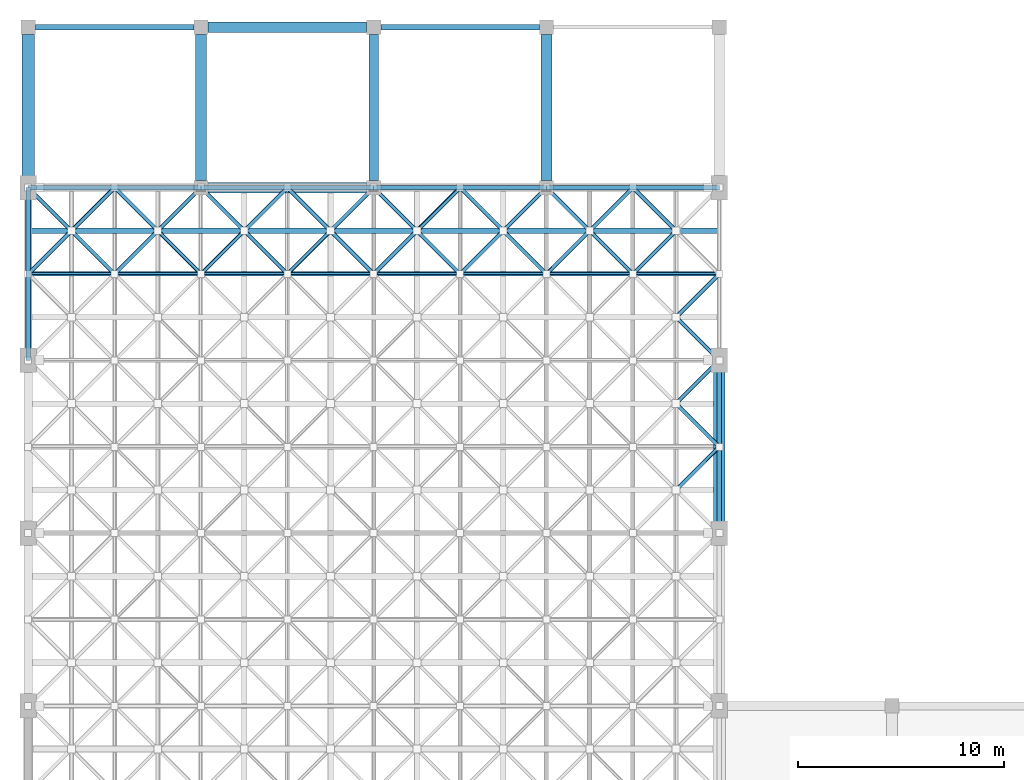
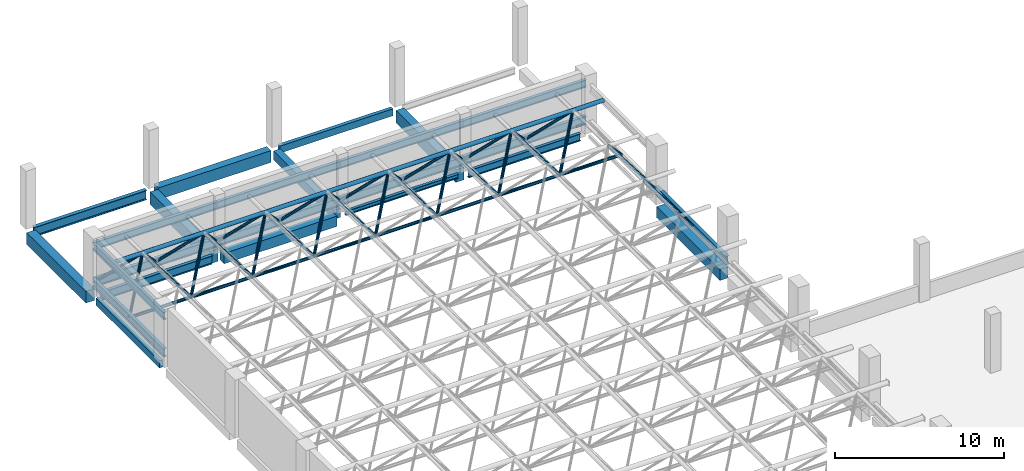
# One storey, part 31 of 64: 37 members, 24 beams.
"""IFC4 building model written with IfcOpenShell, lengths in metres."""

import ifcopenshell
import ifcopenshell.guid

model = None  # the IFC model being written
_history = None  # IfcOwnerHistory: only IFC2X3 demands one
_inside = {}  # id of a spatial element -> (the spatial element, [elements in it])
_under = {}  # id of a project, library or spatial element -> (it, [spatial elements below it])
_declared = {}  # id of a project -> (the project, [libraries it declares])
_typed = {}  # id of a type object -> (the type object, [elements of that type])
_made_of = {}  # id of a material, layer set ... -> (it, [elements and type objects made of it])


def new_model(schema):
    """Start an empty IFC model of exactly this schema.

    Asked for "IFC4X3", IfcOpenShell would pick the latest addendum, in which some entities
    have other attributes; the version numbers below select the first issue.
    IFC2X3 requires an IfcOwnerHistory on every rooted entity: one is made here for all.
    """
    global model, _history
    if schema == "IFC4X3":
        model = ifcopenshell.file(schema_version=(4, 3, 0, 0))
    else:
        model = ifcopenshell.file(schema=schema)
    _inside.clear()
    _under.clear()
    _declared.clear()
    _typed.clear()
    _made_of.clear()
    _history = None
    if model.schema == "IFC2X3":
        org = make("IfcOrganization", Name="unknown")
        user = make(
            "IfcPersonAndOrganization",
            ThePerson=make("IfcPerson", FamilyName="unknown"),
            TheOrganization=org,
        )
        app = make(
            "IfcApplication",
            ApplicationDeveloper=org,
            Version="unknown",
            ApplicationFullName="unknown",
            ApplicationIdentifier="unknown",
        )
        _history = make(
            "IfcOwnerHistory",
            OwningUser=user,
            OwningApplication=app,
            ChangeAction="ADDED",
            CreationDate=0,
        )
    return model


def make(cls, **values):
    """One entity of the class cls with the attributes given. An attribute that is None is left unset."""
    return model.create_entity(
        cls, **{name: value for name, value in values.items() if value is not None}
    )


def rooted(cls, **values):
    """An entity with a GlobalId (a new one), such as an element, a storey or a relation."""
    return make(cls, GlobalId=ifcopenshell.guid.new(), OwnerHistory=_history, **values)


def si_unit(unit_type, name, prefix=None):
    """IfcSIUnit, for example si_unit("LENGTHUNIT", "METRE", prefix="MILLI")."""
    return make("IfcSIUnit", UnitType=unit_type, Prefix=prefix, Name=name)


def derived_unit(unit_type, elements):
    """IfcDerivedUnit: a product of units, each with its exponent."""
    return make(
        "IfcDerivedUnit",
        Elements=[
            make("IfcDerivedUnitElement", Unit=unit, Exponent=power)
            for unit, power in elements
        ],
        UnitType=unit_type,
    )


def assignment(units):
    """IfcUnitAssignment: the units of a project."""
    return None if units is None else make("IfcUnitAssignment", Units=units)


def point(xyz):
    """IfcCartesianPoint."""
    return None if xyz is None else make("IfcCartesianPoint", Coordinates=xyz)


def direction(xyz):
    """IfcDirection."""
    return None if xyz is None else make("IfcDirection", DirectionRatios=xyz)


def frame(location, z_axis=None, x_axis=None):
    """IfcAxis2Placement3D, a coordinate frame: its origin and axes. An axis left out is left unset."""
    return make(
        "IfcAxis2Placement3D",
        Location=point(location),
        Axis=direction(z_axis),
        RefDirection=direction(x_axis),
    )


def frame_2d(location, x_axis=None):
    """IfcAxis2Placement2D, a coordinate frame in the plane: its origin and x axis."""
    return make(
        "IfcAxis2Placement2D", Location=point(location), RefDirection=direction(x_axis)
    )


def origin():
    """The frame at (0, 0, 0) with its axes left unset."""
    return frame((0.0, 0.0, 0.0))


def origin_2d():
    """The frame at (0, 0) in the plane with its x axis left unset."""
    return frame_2d((0.0, 0.0))


def place(relative_to, where):
    """IfcLocalPlacement: puts the frame where relative to a parent placement (None: the world)."""
    return make(
        "IfcLocalPlacement", PlacementRelTo=relative_to, RelativePlacement=where
    )


def context(
    kind, dimensions, precision=None, world=None, true_north=None, identifier=None
):
    """IfcGeometricRepresentationContext, for example the 3D "Model" context."""
    return make(
        "IfcGeometricRepresentationContext",
        ContextIdentifier=identifier,
        ContextType=kind,
        CoordinateSpaceDimension=dimensions,
        Precision=precision,
        WorldCoordinateSystem=world,
        TrueNorth=true_north,
    )


def subcontext(parent, identifier, kind, view, scale=None):
    """IfcGeometricRepresentationSubContext, for example "Body" below "Model"."""
    return make(
        "IfcGeometricRepresentationSubContext",
        ContextIdentifier=identifier,
        ContextType=kind,
        ParentContext=parent,
        TargetScale=scale,
        TargetView=view,
    )


def project(units=None, contexts=None):
    """IfcProject with its units and contexts."""
    return rooted(
        "IfcProject",
        Name="project",
        RepresentationContexts=contexts,
        UnitsInContext=assignment(units),
    )


def spatial(cls, under=None, at=None, **own):
    """A site, building, storey or space (cls), placed at a placement, below another one or the project."""
    s = rooted(cls, ObjectPlacement=at, **own)
    if under is not None:
        _under.setdefault(under.id(), (under, []))[1].append(s)
    return s


def profile(cls, at=None, kind="AREA", **sizes):
    """A parametric profile (cls). Its sizes go by their IFC names, for example OverallWidth=200.0."""
    return make(cls, ProfileType=kind, Position=at, **sizes)


def rectangle(**sizes):
    """IfcRectangleProfileDef."""
    return profile("IfcRectangleProfileDef", **sizes)


def hollow_circle(**sizes):
    """IfcCircleHollowProfileDef."""
    return profile("IfcCircleHollowProfileDef", **sizes)


def i_section(**sizes):
    """IfcIShapeProfileDef."""
    return profile("IfcIShapeProfileDef", **sizes)


def extrude(swept, where, along, depth):
    """IfcExtrudedAreaSolid: the profile swept, set in the frame where, extruded along a direction by depth."""
    return make(
        "IfcExtrudedAreaSolid",
        SweptArea=swept,
        Position=where,
        ExtrudedDirection=direction(along),
        Depth=depth,
    )


def shape(context_of_items, identifier, shape_type, items):
    """IfcShapeRepresentation: the items that make up one representation, for example the "Body"."""
    return make(
        "IfcShapeRepresentation",
        ContextOfItems=context_of_items,
        RepresentationIdentifier=identifier,
        RepresentationType=shape_type,
        Items=items,
    )


def material(Name=None, Category=None):
    """IfcMaterial."""
    return make("IfcMaterial", Name=Name, Category=Category)


def material_profile(
    of_material, cross_section, Name=None, Category=None, Priority=None
):
    """IfcMaterialProfile: a cross section and its material."""
    return make(
        "IfcMaterialProfile",
        Name=Name,
        Material=of_material,
        Profile=cross_section,
        Priority=Priority,
        Category=Category,
    )


def profile_set(profiles, Name=None, composite=None):
    """IfcMaterialProfileSet."""
    return make(
        "IfcMaterialProfileSet",
        Name=Name,
        MaterialProfiles=profiles,
        CompositeProfile=composite,
    )


def made_of(thing, what):
    """Note that an element or type object is made of a material, layer set ...; save() writes the relation."""
    if what is not None:
        _made_of.setdefault(what.id(), (what, []))[1].append(thing)
    return thing


def type_object(cls, material=None, **own):
    """A type object (cls), such as IfcWallType, which elements share."""
    return made_of(rooted(cls, **own), material)


def element(
    cls,
    number,
    at=None,
    inside=None,
    cuts=None,
    type_object=None,
    material=None,
    context=None,
    identifier="Body",
    shape_type=None,
    held_by="IfcProductDefinitionShape",
    body=None,
    shapes=None,
    **own,
):
    """One element of the class cls, such as IfcWall. Its Tag is "e" and its number.

    at: its placement. inside: the storey or other place that contains it. cuts: it is an
    opening in that element (IfcRelVoidsElement). A single representation is given by context,
    identifier, shape_type and body (its items); several are given by shapes. held_by: the class
    of the entity that holds the representations. save() writes the other relations.
    """
    e = rooted(cls, Tag="e%d" % number, ObjectPlacement=at, **own)
    if body is not None:
        shapes = [shape(context, identifier, shape_type, body)]
    if shapes is not None:
        e.Representation = make(held_by, Representations=shapes)
    if inside is not None:
        _inside.setdefault(inside.id(), (inside, []))[1].append(e)
    if cuts is not None:
        rooted(
            "IfcRelVoidsElement", RelatingBuildingElement=cuts, RelatedOpeningElement=e
        )
    if type_object is not None:
        _typed.setdefault(type_object.id(), (type_object, []))[1].append(e)
    return made_of(e, material)


def aggregate(whole, parts):
    """IfcRelAggregates: a whole, such as a stair, and the parts it consists of."""
    return rooted("IfcRelAggregates", RelatingObject=whole, RelatedObjects=parts)


def save(model, path):
    """Write the relations noted so far, then the file.

    IfcRelAggregates (storeys below a building ...), IfcRelContainedInSpatialStructure (elements
    in a storey), IfcRelDefinesByType, IfcRelAssociatesMaterial and IfcRelDeclares: one each for
    every whole, place, type object, material and project.
    """
    for whole, parts in _under.values():
        aggregate(whole, parts)
    for where, things in _inside.values():
        rooted(
            "IfcRelContainedInSpatialStructure",
            RelatedElements=things,
            RelatingStructure=where,
        )
    for kind, things in _typed.values():
        rooted("IfcRelDefinesByType", RelatedObjects=things, RelatingType=kind)
    for what, things in _made_of.values():
        rooted("IfcRelAssociatesMaterial", RelatedObjects=things, RelatingMaterial=what)
    for by, libraries in _declared.values():
        rooted("IfcRelDeclares", RelatingContext=by, RelatedDefinitions=libraries)
    model.write(path)


model = new_model("IFC4")

# Units and contexts
model_context = context("Model", 3, precision=1e-05, world=origin(), true_north=direction((0.0, 1.0)))
body_context = subcontext(model_context, "Body", "Model", "MODEL_VIEW")
ifc_project = project(units=[si_unit("LENGTHUNIT", "METRE"), si_unit("AREAUNIT", "SQUARE_METRE"), si_unit("VOLUMEUNIT", "CUBIC_METRE"), si_unit("PLANEANGLEUNIT", "RADIAN"), si_unit("MASSUNIT", "GRAM", prefix="KILO"), derived_unit("THERMALTRANSMITTANCEUNIT", [(si_unit("POWERUNIT", "WATT"), 1), (si_unit("LENGTHUNIT", "METRE"), -2), (si_unit("THERMODYNAMICTEMPERATUREUNIT", "KELVIN"), -1)])], contexts=[model_context])

# Site, building, storey
site_placement = place(None, origin())
site = spatial("IfcSite", under=ifc_project, at=site_placement, CompositionType="ELEMENT")
building_placement = place(site_placement, origin())
building = spatial("IfcBuilding", under=site, at=building_placement, Name="Barrovel Congress Hotel", CompositionType="ELEMENT")
storey_placement = place(building_placement, frame((0.0, 0.0, 14.10009765625)))
storey = spatial("IfcBuildingStorey", under=building, at=storey_placement, Name="L03", CompositionType="ELEMENT", Elevation=14.10009765625)

# Beams
ifc_material_1 = material(Name="Concrete C40", Category="concrete")
ifc_material_profile_1 = material_profile(ifc_material_1, rectangle(XDim=0.25, YDim=0.5, at=origin_2d()), Name="RC250x500")
ifc_profile_set_1 = profile_set([ifc_material_profile_1], Name="Concrete C40")
beam_type_1 = type_object("IfcBeamType", Name="BM-RC250x500", PredefinedType="SPANDREL", material=ifc_profile_set_1)
beam_1_placement = place(storey_placement, frame((17.14990234375, 112.800048828125, -0.489990234375), z_axis=(1.0, 0.0, 0.0), x_axis=(0.0, 1.0, 0.0)))
element("IfcBeam", 1, at=beam_1_placement, inside=storey, type_object=beam_type_1, Name="BMX:L03:112.8:16.8-25.2", PredefinedType="SPANDREL", context=body_context, shape_type="SweptSolid", body=[
    extrude(rectangle(XDim=0.25, YDim=0.5, at=origin_2d()), origin(), (0.0, 0.0, 1.0), 7.7001953125),
])
beam_2_placement = place(storey_placement, frame((0.0, 97.050048828125, -0.489990234375), z_axis=(0.0, 1.0, 0.0), x_axis=(-1.0, 0.0, 0.0)))
element("IfcBeam", 2, at=beam_2_placement, inside=storey, type_object=beam_type_1, Name="BMY:L03:0.0:96.6-105.0", PredefinedType="SPANDREL", context=body_context, shape_type="SweptSolid", body=[
    extrude(rectangle(XDim=0.25, YDim=0.5, at=origin_2d()), origin(), (0.0, 0.0, 1.0), 7.5),
])
ifc_material_profile_2 = material_profile(ifc_material_1, rectangle(XDim=0.449951171875, YDim=0.64990234375, at=origin_2d()), Name="RC450x650")
ifc_profile_set_2 = profile_set([ifc_material_profile_2], Name="Concrete C40")
beam_type_2 = type_object("IfcBeamType", Name="BM-RC450x650", PredefinedType="BEAM", material=ifc_profile_set_2)
beam_3_placement = place(storey_placement, frame((16.800048828125, 105.35009765625, -0.565185546875), z_axis=(0.0, 1.0, 0.0), x_axis=(-1.0, 0.0, 0.0)))
element("IfcBeam", 3, at=beam_3_placement, inside=storey, type_object=beam_type_2, Name="BMY:L03:16.8:105.0-112.8", PredefinedType="BEAM", context=body_context, shape_type="SweptSolid", body=[
    extrude(rectangle(XDim=0.449951171875, YDim=0.64990234375, at=origin_2d()), origin(), (0.0, 0.0, 1.0), 7.099853515625),
])
ifc_material_profile_3 = material_profile(ifc_material_1, rectangle(XDim=0.5, YDim=0.75, at=origin_2d()), Name="RC500x750")
ifc_profile_set_3 = profile_set([ifc_material_profile_3], Name="Concrete C40")
beam_type_3 = type_object("IfcBeamType", Name="BM-RC500x750", PredefinedType="BEAM", material=ifc_profile_set_3)
beam_4_placement = place(storey_placement, frame((8.75, 105.0, -0.614990234375), z_axis=(1.0, 0.0, 0.0), x_axis=(0.0, 1.0, 0.0)))
element("IfcBeam", 4, at=beam_4_placement, inside=storey, type_object=beam_type_3, Name="BMX:L03:105.0:8.4-16.8", PredefinedType="BEAM", context=body_context, shape_type="SweptSolid", body=[
    extrude(rectangle(XDim=0.5, YDim=0.75, at=origin_2d()), origin(), (0.0, 0.0, 1.0), 7.699951171875),
])
ifc_material_profile_4 = material_profile(ifc_material_1, rectangle(XDim=0.5, YDim=0.85009765625, at=origin_2d()), Name="RC500x850")
ifc_profile_set_4 = profile_set([ifc_material_profile_4], Name="Concrete C40")
beam_type_4 = type_object("IfcBeamType", Name="BM-RC500x850", PredefinedType="BEAM", material=ifc_profile_set_4)
beam_5_placement = place(storey_placement, frame((8.75, 112.800048828125, -0.6650390625), z_axis=(1.0, 0.0, 0.0), x_axis=(0.0, 1.0, 0.0)))
element("IfcBeam", 5, at=beam_5_placement, inside=storey, type_object=beam_type_4, Name="BMX:L03:112.8:8.4-16.8", PredefinedType="BEAM", context=body_context, shape_type="SweptSolid", body=[
    extrude(rectangle(XDim=0.5, YDim=0.85009765625, at=origin_2d()), origin(), (0.0, 0.0, 1.0), 7.699951171875),
])
ifc_material_profile_5 = material_profile(ifc_material_1, rectangle(XDim=0.550048828125, YDim=0.800048828125, at=origin_2d()), Name="RC550x800")
ifc_profile_set_5 = profile_set([ifc_material_profile_5], Name="Concrete C40")
beam_type_5 = type_object("IfcBeamType", Name="BM-RC550x800", PredefinedType="BEAM", material=ifc_profile_set_5)
beam_6_placement = place(storey_placement, frame((33.60009765625, 88.64990234375, -0.64013671875), z_axis=(0.0, 1.0, 0.0), x_axis=(-1.0, 0.0, 0.0)))
element("IfcBeam", 6, at=beam_6_placement, inside=storey, type_object=beam_type_5, Name="BMY:L03:33.6:88.2-96.6", PredefinedType="BEAM", context=body_context, shape_type="SweptSolid", body=[
    extrude(rectangle(XDim=0.550048828125, YDim=0.800048828125, at=origin_2d()), origin(), (0.0, 0.0, 1.0), 7.5),
])
ifc_material_profile_6 = material_profile(ifc_material_1, rectangle(XDim=0.550048828125, YDim=0.89990234375, at=origin_2d()), Name="RC550x900")
ifc_profile_set_6 = profile_set([ifc_material_profile_6], Name="Concrete C40")
beam_type_6 = type_object("IfcBeamType", Name="BM-RC550x900", PredefinedType="BEAM", material=ifc_profile_set_6)
for number, where, z_axis, x_axis, name in (
    (7, (8.39990234375, 105.35009765625, -0.690185546875), (0.0, 1.0, 0.0), (-1.0, 0.0, 0.0), "BMY:L03:8.4:105.0-112.8"),
    (8, (25.199951171875, 105.35009765625, -0.690185546875), (0.0, 1.0, 0.0), (-1.0, 0.0, 0.0), "BMY:L03:25.2:105.0-112.8"),
):
    element("IfcBeam", number, at=place(storey_placement, frame(where, z_axis=z_axis, x_axis=x_axis)), inside=storey, type_object=beam_type_6, Name=name, PredefinedType="BEAM", context=body_context, shape_type="SweptSolid", body=[
        extrude(rectangle(XDim=0.550048828125, YDim=0.89990234375, at=origin_2d()), origin(), (0.0, 0.0, 1.0), 7.099853515625),
    ])
ifc_material_profile_7 = material_profile(ifc_material_1, rectangle(XDim=0.60009765625, YDim=0.85009765625, at=origin_2d()), Name="RC600x850")
ifc_profile_set_7 = profile_set([ifc_material_profile_7], Name="Concrete C40")
beam_type_7 = type_object("IfcBeamType", Name="BM-RC600x850", PredefinedType="BEAM", material=ifc_profile_set_7)
beam_7_placement = place(storey_placement, frame((0.0, 105.449951171875, -0.6650390625), z_axis=(0.0, 1.0, 0.0), x_axis=(-1.0, 0.0, 0.0)))
element("IfcBeam", 9, at=beam_7_placement, inside=storey, type_object=beam_type_7, Name="BMY:L03:0.0:105.0-112.8", PredefinedType="BEAM", context=body_context, shape_type="SweptSolid", body=[
    extrude(rectangle(XDim=0.60009765625, YDim=0.85009765625, at=origin_2d()), origin(), (0.0, 0.0, 1.0), 7.0),
])

# Members
ifc_material_2 = material(Name="Steel ASTM A500 Grade C", Category="steel")
ifc_material_profile_8 = material_profile(ifc_material_2, hollow_circle(Radius=0.096923828125, WallThickness=0.0087890625, at=origin_2d()), Name="CHS193.7x9.5")
ifc_profile_set_8 = profile_set([ifc_material_profile_8], Name="Steel ASTM A500 Grade C")
member_type_1 = type_object("IfcMemberType", Name="MEM-CHS193.7x9.5", PredefinedType="BRACE", material=ifc_profile_set_8)
for number, where, z_axis, x_axis, name in (
    (10, (0.0, 100.800048828125, 0.599853515625), (0.527618240532, 0.527556903839, 0.665809811786), (-0.707065676302, 0.707147883682, 0.0), "Space Frame Roof Truss Diagonal 0-15-1"),
    (11, (4.199951171875, 100.800048828125, 0.599853515625), (-0.527573976661, 0.527573976661, 0.665831358755), (-0.707106781187, -0.707106781187, 0.0), "Space Frame Roof Truss Diagonal 0-15-2"),
):
    element("IfcMember", number, at=place(storey_placement, frame(where, z_axis=z_axis, x_axis=x_axis)), inside=storey, type_object=member_type_1, Name=name, PredefinedType="BRACE", context=body_context, shape_type="SweptSolid", body=[
        extrude(hollow_circle(Radius=0.096923828125, WallThickness=0.0087890625, at=origin_2d()), origin(), (0.0, 0.0, 1.0), 3.980224609375),
    ])
member_1_placement = place(storey_placement, frame((0.0, 105.0, 0.599853515625), z_axis=(0.527601167383, -0.527601167383, 0.665788266908), x_axis=(0.707106781187, 0.707106781187, 0.0)))
element("IfcMember", 12, at=member_1_placement, inside=storey, type_object=member_type_1, Name="Space Frame Roof Truss Diagonal 0-15-3", PredefinedType="BRACE", context=body_context, shape_type="SweptSolid", body=[
    extrude(hollow_circle(Radius=0.096923828125, WallThickness=0.0087890625, at=origin_2d()), origin(), (0.0, 0.0, 1.0), 3.98046875),
])
for number, where, z_axis, x_axis, name in (
    (13, (4.199951171875, 105.0, 0.599853515625), (-0.527556903839, -0.527618240532, 0.665809811786), (0.707147883682, -0.707065676302, 0.0), "Space Frame Roof Truss Diagonal 0-15-4"),
    (14, (4.199951171875, 100.800048828125, 0.599853515625), (0.527618240532, 0.527556903839, 0.665809811786), (-0.707065676302, 0.707147883682, 0.0), "Space Frame Roof Truss Diagonal 1-15-1"),
    (15, (8.39990234375, 100.800048828125, 0.599853515625), (-0.527573976661, 0.527573976661, 0.665831358755), (-0.707106781187, -0.707106781187, 0.0), "Space Frame Roof Truss Diagonal 1-15-2"),
):
    element("IfcMember", number, at=place(storey_placement, frame(where, z_axis=z_axis, x_axis=x_axis)), inside=storey, type_object=member_type_1, Name=name, PredefinedType="BRACE", context=body_context, shape_type="SweptSolid", body=[
        extrude(hollow_circle(Radius=0.096923828125, WallThickness=0.0087890625, at=origin_2d()), origin(), (0.0, 0.0, 1.0), 3.980224609375),
    ])
member_2_placement = place(storey_placement, frame((4.199951171875, 105.0, 0.599853515625), z_axis=(0.527601167383, -0.527601167383, 0.665788266908), x_axis=(0.707106781187, 0.707106781187, 0.0)))
element("IfcMember", 16, at=member_2_placement, inside=storey, type_object=member_type_1, Name="Space Frame Roof Truss Diagonal 1-15-3", PredefinedType="BRACE", context=body_context, shape_type="SweptSolid", body=[
    extrude(hollow_circle(Radius=0.096923828125, WallThickness=0.0087890625, at=origin_2d()), origin(), (0.0, 0.0, 1.0), 3.98046875),
])
for number, where, z_axis, x_axis, name in (
    (17, (8.39990234375, 105.0, 0.599853515625), (-0.527556903839, -0.527618240532, 0.665809811786), (0.707147883682, -0.707065676302, 0.0), "Space Frame Roof Truss Diagonal 1-15-4"),
    (18, (8.39990234375, 100.800048828125, 0.599853515625), (0.527618240532, 0.527556903839, 0.665809811786), (-0.707065676302, 0.707147883682, 0.0), "Space Frame Roof Truss Diagonal 2-15-1"),
    (19, (12.60009765625, 100.800048828125, 0.599853515625), (-0.527618240532, 0.527556903839, 0.665809811786), (-0.707065676302, -0.707147883682, 0.0), "Space Frame Roof Truss Diagonal 2-15-2"),
):
    element("IfcMember", number, at=place(storey_placement, frame(where, z_axis=z_axis, x_axis=x_axis)), inside=storey, type_object=member_type_1, Name=name, PredefinedType="BRACE", context=body_context, shape_type="SweptSolid", body=[
        extrude(hollow_circle(Radius=0.096923828125, WallThickness=0.0087890625, at=origin_2d()), origin(), (0.0, 0.0, 1.0), 3.980224609375),
    ])
for number, where, z_axis, x_axis, name in (
    (20, (8.39990234375, 105.0, 0.599853515625), (0.527601167383, -0.527601167383, 0.665788266908), (0.707106781187, 0.707106781187, 0.0), "Space Frame Roof Truss Diagonal 2-15-3"),
    (21, (12.60009765625, 105.0, 0.599853515625), (-0.527601167383, -0.527601167383, 0.665788266908), (0.707106781187, -0.707106781187, 0.0), "Space Frame Roof Truss Diagonal 2-15-4"),
):
    element("IfcMember", number, at=place(storey_placement, frame(where, z_axis=z_axis, x_axis=x_axis)), inside=storey, type_object=member_type_1, Name=name, PredefinedType="BRACE", context=body_context, shape_type="SweptSolid", body=[
        extrude(hollow_circle(Radius=0.096923828125, WallThickness=0.0087890625, at=origin_2d()), origin(), (0.0, 0.0, 1.0), 3.98046875),
    ])
for number, where, z_axis, x_axis, name in (
    (22, (12.60009765625, 100.800048828125, 0.599853515625), (0.527573976661, 0.527573976661, 0.665831358755), (-0.707106781187, 0.707106781187, 0.0), "Space Frame Roof Truss Diagonal 3-15-1"),
    (23, (16.800048828125, 100.800048828125, 0.599853515625), (-0.527618240532, 0.527556903839, 0.665809811786), (-0.707065676302, -0.707147883682, 0.0), "Space Frame Roof Truss Diagonal 3-15-2"),
    (24, (12.60009765625, 105.0, 0.599853515625), (0.527556903839, -0.527618240532, 0.665809811786), (0.707147883682, 0.707065676302, 0.0), "Space Frame Roof Truss Diagonal 3-15-3"),
):
    element("IfcMember", number, at=place(storey_placement, frame(where, z_axis=z_axis, x_axis=x_axis)), inside=storey, type_object=member_type_1, Name=name, PredefinedType="BRACE", context=body_context, shape_type="SweptSolid", body=[
        extrude(hollow_circle(Radius=0.096923828125, WallThickness=0.0087890625, at=origin_2d()), origin(), (0.0, 0.0, 1.0), 3.980224609375),
    ])
member_3_placement = place(storey_placement, frame((16.800048828125, 105.0, 0.599853515625), z_axis=(-0.527601167383, -0.527601167383, 0.665788266908), x_axis=(0.707106781187, -0.707106781187, 0.0)))
element("IfcMember", 25, at=member_3_placement, inside=storey, type_object=member_type_1, Name="Space Frame Roof Truss Diagonal 3-15-4", PredefinedType="BRACE", context=body_context, shape_type="SweptSolid", body=[
    extrude(hollow_circle(Radius=0.096923828125, WallThickness=0.0087890625, at=origin_2d()), origin(), (0.0, 0.0, 1.0), 3.98046875),
])
for number, where, z_axis, x_axis, name in (
    (26, (16.800048828125, 100.800048828125, 0.599853515625), (0.527573976661, 0.527573976661, 0.665831358755), (-0.707106781187, 0.707106781187, 0.0), "Space Frame Roof Truss Diagonal 4-15-1"),
    (27, (21.0, 100.800048828125, 0.599853515625), (-0.527618240532, 0.527556903839, 0.665809811786), (-0.707065676302, -0.707147883682, 0.0), "Space Frame Roof Truss Diagonal 4-15-2"),
    (28, (16.800048828125, 105.0, 0.599853515625), (0.527556903839, -0.527618240532, 0.665809811786), (0.707147883682, 0.707065676302, 0.0), "Space Frame Roof Truss Diagonal 4-15-3"),
):
    element("IfcMember", number, at=place(storey_placement, frame(where, z_axis=z_axis, x_axis=x_axis)), inside=storey, type_object=member_type_1, Name=name, PredefinedType="BRACE", context=body_context, shape_type="SweptSolid", body=[
        extrude(hollow_circle(Radius=0.096923828125, WallThickness=0.0087890625, at=origin_2d()), origin(), (0.0, 0.0, 1.0), 3.980224609375),
    ])
member_4_placement = place(storey_placement, frame((21.0, 105.0, 0.599853515625), z_axis=(-0.527601167383, -0.527601167383, 0.665788266908), x_axis=(0.707106781187, -0.707106781187, 0.0)))
element("IfcMember", 29, at=member_4_placement, inside=storey, type_object=member_type_1, Name="Space Frame Roof Truss Diagonal 4-15-4", PredefinedType="BRACE", context=body_context, shape_type="SweptSolid", body=[
    extrude(hollow_circle(Radius=0.096923828125, WallThickness=0.0087890625, at=origin_2d()), origin(), (0.0, 0.0, 1.0), 3.98046875),
])
for number, where, z_axis, x_axis, name in (
    (30, (21.0, 100.800048828125, 0.599853515625), (0.527618240532, 0.527556903839, 0.665809811786), (-0.707065676302, 0.707147883682, 0.0), "Space Frame Roof Truss Diagonal 5-15-1"),
    (31, (25.199951171875, 100.800048828125, 0.599853515625), (-0.527573976661, 0.527573976661, 0.665831358755), (-0.707106781187, -0.707106781187, 0.0), "Space Frame Roof Truss Diagonal 5-15-2"),
):
    element("IfcMember", number, at=place(storey_placement, frame(where, z_axis=z_axis, x_axis=x_axis)), inside=storey, type_object=member_type_1, Name=name, PredefinedType="BRACE", context=body_context, shape_type="SweptSolid", body=[
        extrude(hollow_circle(Radius=0.096923828125, WallThickness=0.0087890625, at=origin_2d()), origin(), (0.0, 0.0, 1.0), 3.980224609375),
    ])
member_5_placement = place(storey_placement, frame((21.0, 105.0, 0.599853515625), z_axis=(0.527601167383, -0.527601167383, 0.665788266908), x_axis=(0.707106781187, 0.707106781187, 0.0)))
element("IfcMember", 32, at=member_5_placement, inside=storey, type_object=member_type_1, Name="Space Frame Roof Truss Diagonal 5-15-3", PredefinedType="BRACE", context=body_context, shape_type="SweptSolid", body=[
    extrude(hollow_circle(Radius=0.096923828125, WallThickness=0.0087890625, at=origin_2d()), origin(), (0.0, 0.0, 1.0), 3.98046875),
])
for number, where, z_axis, x_axis, name in (
    (33, (25.199951171875, 105.0, 0.599853515625), (-0.527556903839, -0.527618240532, 0.665809811786), (0.707147883682, -0.707065676302, 0.0), "Space Frame Roof Truss Diagonal 5-15-4"),
    (34, (25.199951171875, 100.800048828125, 0.599853515625), (0.527618240532, 0.527556903839, 0.665809811786), (-0.707065676302, 0.707147883682, 0.0), "Space Frame Roof Truss Diagonal 6-15-1"),
    (35, (29.39990234375, 100.800048828125, 0.599853515625), (-0.527573976661, 0.527573976661, 0.665831358755), (-0.707106781187, -0.707106781187, 0.0), "Space Frame Roof Truss Diagonal 6-15-2"),
):
    element("IfcMember", number, at=place(storey_placement, frame(where, z_axis=z_axis, x_axis=x_axis)), inside=storey, type_object=member_type_1, Name=name, PredefinedType="BRACE", context=body_context, shape_type="SweptSolid", body=[
        extrude(hollow_circle(Radius=0.096923828125, WallThickness=0.0087890625, at=origin_2d()), origin(), (0.0, 0.0, 1.0), 3.980224609375),
    ])
member_6_placement = place(storey_placement, frame((25.199951171875, 105.0, 0.599853515625), z_axis=(0.527601167383, -0.527601167383, 0.665788266908), x_axis=(0.707106781187, 0.707106781187, 0.0)))
element("IfcMember", 36, at=member_6_placement, inside=storey, type_object=member_type_1, Name="Space Frame Roof Truss Diagonal 6-15-3", PredefinedType="BRACE", context=body_context, shape_type="SweptSolid", body=[
    extrude(hollow_circle(Radius=0.096923828125, WallThickness=0.0087890625, at=origin_2d()), origin(), (0.0, 0.0, 1.0), 3.98046875),
])
for number, where, z_axis, x_axis, name in (
    (37, (29.39990234375, 105.0, 0.599853515625), (-0.527556903839, -0.527618240532, 0.665809811786), (0.707147883682, -0.707065676302, 0.0), "Space Frame Roof Truss Diagonal 6-15-4"),
    (38, (33.60009765625, 92.39990234375, 0.599853515625), (-0.527618240532, -0.527556903839, 0.665809811786), (0.707065676302, -0.707147883682, 0.0), "Space Frame Roof Truss Diagonal 7-12-4"),
):
    element("IfcMember", number, at=place(storey_placement, frame(where, z_axis=z_axis, x_axis=x_axis)), inside=storey, type_object=member_type_1, Name=name, PredefinedType="BRACE", context=body_context, shape_type="SweptSolid", body=[
        extrude(hollow_circle(Radius=0.096923828125, WallThickness=0.0087890625, at=origin_2d()), origin(), (0.0, 0.0, 1.0), 3.980224609375),
    ])
for number, where, z_axis, x_axis, name in (
    (39, (33.60009765625, 92.39990234375, 0.599853515625), (-0.527601167383, 0.527601167383, 0.665788266908), (-0.707106781187, -0.707106781187, 0.0), "Space Frame Roof Truss Diagonal 7-13-2"),
    (40, (33.60009765625, 96.60009765625, 0.599853515625), (-0.527601167383, -0.527601167383, 0.665788266908), (0.707106781187, -0.707106781187, 0.0), "Space Frame Roof Truss Diagonal 7-13-4"),
):
    element("IfcMember", number, at=place(storey_placement, frame(where, z_axis=z_axis, x_axis=x_axis)), inside=storey, type_object=member_type_1, Name=name, PredefinedType="BRACE", context=body_context, shape_type="SweptSolid", body=[
        extrude(hollow_circle(Radius=0.096923828125, WallThickness=0.0087890625, at=origin_2d()), origin(), (0.0, 0.0, 1.0), 3.98046875),
    ])
member_7_placement = place(storey_placement, frame((33.60009765625, 96.60009765625, 0.599853515625), z_axis=(-0.527618240532, 0.527556903839, 0.665809811786), x_axis=(-0.707065676302, -0.707147883682, 0.0)))
element("IfcMember", 41, at=member_7_placement, inside=storey, type_object=member_type_1, Name="Space Frame Roof Truss Diagonal 7-14-2", PredefinedType="BRACE", context=body_context, shape_type="SweptSolid", body=[
    extrude(hollow_circle(Radius=0.096923828125, WallThickness=0.0087890625, at=origin_2d()), origin(), (0.0, 0.0, 1.0), 3.980224609375),
])
member_8_placement = place(storey_placement, frame((33.60009765625, 100.800048828125, 0.599853515625), z_axis=(-0.527601167383, -0.527601167383, 0.665788266908), x_axis=(0.707106781187, -0.707106781187, 0.0)))
element("IfcMember", 42, at=member_8_placement, inside=storey, type_object=member_type_1, Name="Space Frame Roof Truss Diagonal 7-14-4", PredefinedType="BRACE", context=body_context, shape_type="SweptSolid", body=[
    extrude(hollow_circle(Radius=0.096923828125, WallThickness=0.0087890625, at=origin_2d()), origin(), (0.0, 0.0, 1.0), 3.98046875),
])
member_9_placement = place(storey_placement, frame((29.39990234375, 100.800048828125, 0.599853515625), z_axis=(0.527618240532, 0.527556903839, 0.665809811786), x_axis=(-0.707065676302, 0.707147883682, 0.0)))
element("IfcMember", 43, at=member_9_placement, inside=storey, type_object=member_type_1, Name="Space Frame Roof Truss Diagonal 7-15-1", PredefinedType="BRACE", context=body_context, shape_type="SweptSolid", body=[
    extrude(hollow_circle(Radius=0.096923828125, WallThickness=0.0087890625, at=origin_2d()), origin(), (0.0, 0.0, 1.0), 3.980224609375),
])
member_10_placement = place(storey_placement, frame((29.39990234375, 105.0, 0.599853515625), z_axis=(0.527601167383, -0.527601167383, 0.665788266908), x_axis=(0.707106781187, 0.707106781187, 0.0)))
element("IfcMember", 44, at=member_10_placement, inside=storey, type_object=member_type_1, Name="Space Frame Roof Truss Diagonal 7-15-3", PredefinedType="BRACE", context=body_context, shape_type="SweptSolid", body=[
    extrude(hollow_circle(Radius=0.096923828125, WallThickness=0.0087890625, at=origin_2d()), origin(), (0.0, 0.0, 1.0), 3.98046875),
])
ifc_material_profile_9 = material_profile(ifc_material_2, hollow_circle(Radius=0.109619140625, WallThickness=0.01171875, at=origin_2d()), Name="CHS219.1x12.7")
ifc_profile_set_9 = profile_set([ifc_material_profile_9], Name="Steel ASTM A500 Grade C")
member_type_2 = type_object("IfcMemberType", Name="MEM-CHS219.1x12.7", PredefinedType="CHORD", material=ifc_profile_set_9)
member_11_placement = place(storey_placement, frame((0.0, 100.800048828125, 0.599853515625), z_axis=(1.0, 0.0, 0.0), x_axis=(0.0, 1.0, 0.0)))
element("IfcMember", 45, at=member_11_placement, inside=storey, type_object=member_type_2, Name="Space Frame Roof Truss Bottom Chord X 15", PredefinedType="CHORD", context=body_context, shape_type="SweptSolid", body=[
    extrude(hollow_circle(Radius=0.109619140625, WallThickness=0.01171875, at=origin_2d()), origin(), (0.0, 0.0, 1.0), 33.60009765625),
])
ifc_material_profile_10 = material_profile(ifc_material_2, hollow_circle(Radius=0.136474609375, WallThickness=0.01171875, at=origin_2d()), Name="CHS273.1x12.7")
ifc_profile_set_10 = profile_set([ifc_material_profile_10], Name="Steel ASTM A500 Grade C")
member_type_3 = type_object("IfcMemberType", Name="MEM-CHS273.1x12.7", PredefinedType="CHORD", material=ifc_profile_set_10)
member_12_placement = place(storey_placement, frame((0.0, 102.89990234375, 3.25), z_axis=(1.0, 0.0, 0.0), x_axis=(0.0, 1.0, 0.0)))
element("IfcMember", 46, at=member_12_placement, inside=storey, type_object=member_type_3, Name="Space Frame Roof Truss Top Chord X 15", PredefinedType="CHORD", context=body_context, shape_type="SweptSolid", body=[
    extrude(hollow_circle(Radius=0.136474609375, WallThickness=0.01171875, at=origin_2d()), origin(), (0.0, 0.0, 1.0), 33.60009765625),
])

# Beams
ifc_material_3 = material(Name="Steel ASTM A992 Grade 50", Category="steel")
ifc_material_profile_11 = material_profile(ifc_material_3, i_section(OverallWidth=0.205078125, OverallDepth=0.31005859375, WebThickness=0.009521484375, FlangeThickness=0.016357421875, FilletRadius=0.012939453125, at=origin_2d()), Name="W310x74")
ifc_profile_set_11 = profile_set([ifc_material_profile_11], Name="Steel ASTM A992 Grade 50")
beam_type_8 = type_object("IfcBeamType", Name="SBM-W310x74", PredefinedType="SPANDREL", material=ifc_profile_set_11)
beam_8_placement = place(storey_placement, frame((17.14990234375, 105.0, -0.39501953125), z_axis=(1.0, 0.0, 0.0), x_axis=(0.0, 1.0, 0.0)))
element("IfcBeam", 47, at=beam_8_placement, inside=storey, type_object=beam_type_8, Name="BMX:L03:105.0:16.8-25.2", PredefinedType="SPANDREL", context=body_context, shape_type="SweptSolid", body=[
    extrude(i_section(OverallWidth=0.205078125, OverallDepth=0.31005859375, WebThickness=0.009521484375, FlangeThickness=0.016357421875, FilletRadius=0.012939453125, at=origin_2d()), origin(), (0.0, 0.0, 1.0), 7.7001953125),
])
ifc_material_profile_12 = material_profile(ifc_material_3, i_section(OverallWidth=0.208984375, OverallDepth=0.529052734375, WebThickness=0.009765625, FlangeThickness=0.013671875, FilletRadius=0.013916015625, at=origin_2d()), Name="W530x74")
ifc_profile_set_12 = profile_set([ifc_material_profile_12], Name="Steel ASTM A992 Grade 50")
beam_type_9 = type_object("IfcBeamType", Name="SBM-W530x74", PredefinedType="BEAM", material=ifc_profile_set_12)
beam_9_placement = place(storey_placement, frame((25.550048828125, 105.0, -0.504638671875), z_axis=(1.0, 0.0, 0.0), x_axis=(0.0, 1.0, 0.0)))
element("IfcBeam", 48, at=beam_9_placement, inside=storey, type_object=beam_type_9, Name="BMX:L03:105.0:25.2-33.6", PredefinedType="BEAM", context=body_context, shape_type="SweptSolid", body=[
    extrude(i_section(OverallWidth=0.208984375, OverallDepth=0.529052734375, WebThickness=0.009765625, FlangeThickness=0.013671875, FilletRadius=0.013916015625, at=origin_2d()), origin(), (0.0, 0.0, 1.0), 7.64990234375),
])
ifc_material_profile_13 = material_profile(ifc_material_3, i_section(OverallWidth=0.208984375, OverallDepth=0.532958984375, WebThickness=0.01025390625, FlangeThickness=0.015625, FilletRadius=0.013916015625, at=origin_2d()), Name="W530x92")
ifc_profile_set_13 = profile_set([ifc_material_profile_13], Name="Steel ASTM A992 Grade 50")
beam_type_10 = type_object("IfcBeamType", Name="SBM-W530x92", PredefinedType="BEAM", material=ifc_profile_set_13)
for number, where, z_axis, x_axis, name in (
    (49, (0.0, 96.60009765625, 3.25), (0.0, 1.0, 0.0), (-1.0, 0.0, 0.0), "Congress Roof Truss Upper Collector 0-8"),
    (50, (0.0, 105.0, 3.25), (1.0, 0.0, 0.0), (0.0, 1.0, 0.0), "Congress Roof Truss Upper End Collector 105-1"),
):
    element("IfcBeam", number, at=place(storey_placement, frame(where, z_axis=z_axis, x_axis=x_axis)), inside=storey, type_object=beam_type_10, Name=name, PredefinedType="BEAM", context=body_context, shape_type="SweptSolid", body=[
        extrude(i_section(OverallWidth=0.208984375, OverallDepth=0.532958984375, WebThickness=0.01025390625, FlangeThickness=0.015625, FilletRadius=0.013916015625, at=origin_2d()), origin(), (0.0, 0.0, 1.0), 8.39990234375),
    ])
beam_10_placement = place(storey_placement, frame((8.39990234375, 105.0, 3.25), z_axis=(1.0, 0.0, 0.0), x_axis=(0.0, 1.0, 0.0)))
element("IfcBeam", 51, at=beam_10_placement, inside=storey, type_object=beam_type_10, Name="Congress Roof Truss Upper End Collector 105-2", PredefinedType="BEAM", context=body_context, shape_type="SweptSolid", body=[
    extrude(i_section(OverallWidth=0.208984375, OverallDepth=0.532958984375, WebThickness=0.01025390625, FlangeThickness=0.015625, FilletRadius=0.013916015625, at=origin_2d()), origin(), (0.0, 0.0, 1.0), 8.400146484375),
])
beam_11_placement = place(storey_placement, frame((16.800048828125, 105.0, 3.25), z_axis=(1.0, 0.0, 0.0), x_axis=(0.0, 1.0, 0.0)))
element("IfcBeam", 52, at=beam_11_placement, inside=storey, type_object=beam_type_10, Name="Congress Roof Truss Upper End Collector 105-3", PredefinedType="BEAM", context=body_context, shape_type="SweptSolid", body=[
    extrude(i_section(OverallWidth=0.208984375, OverallDepth=0.532958984375, WebThickness=0.01025390625, FlangeThickness=0.015625, FilletRadius=0.013916015625, at=origin_2d()), origin(), (0.0, 0.0, 1.0), 8.39990234375),
])
beam_12_placement = place(storey_placement, frame((25.199951171875, 105.0, 3.25), z_axis=(1.0, 0.0, 0.0), x_axis=(0.0, 1.0, 0.0)))
element("IfcBeam", 53, at=beam_12_placement, inside=storey, type_object=beam_type_10, Name="Congress Roof Truss Upper End Collector 105-4", PredefinedType="BEAM", context=body_context, shape_type="SweptSolid", body=[
    extrude(i_section(OverallWidth=0.208984375, OverallDepth=0.532958984375, WebThickness=0.01025390625, FlangeThickness=0.015625, FilletRadius=0.013916015625, at=origin_2d()), origin(), (0.0, 0.0, 1.0), 8.400146484375),
])
ifc_material_profile_14 = material_profile(ifc_material_3, i_section(OverallWidth=0.22802734375, OverallDepth=0.60302734375, WebThickness=0.010498046875, FlangeThickness=0.014892578125, FilletRadius=0.014892578125, at=origin_2d()), Name="W610x101")
ifc_profile_set_14 = profile_set([ifc_material_profile_14], Name="Steel ASTM A992 Grade 50")
beam_type_11 = type_object("IfcBeamType", Name="SBM-W610x101", PredefinedType="BEAM", material=ifc_profile_set_14)
beam_13_placement = place(storey_placement, frame((0.39990234375, 105.0, -0.54150390625), z_axis=(1.0, 0.0, 0.0), x_axis=(0.0, 1.0, 0.0)))
element("IfcBeam", 54, at=beam_13_placement, inside=storey, type_object=beam_type_11, Name="BMX:L03:105.0:0.0-8.4", PredefinedType="BEAM", context=body_context, shape_type="SweptSolid", body=[
    extrude(i_section(OverallWidth=0.22802734375, OverallDepth=0.60302734375, WebThickness=0.010498046875, FlangeThickness=0.014892578125, FilletRadius=0.014892578125, at=origin_2d()), origin(), (0.0, 0.0, 1.0), 7.650146484375),
])
ifc_material_profile_15 = material_profile(ifc_material_3, i_section(OverallWidth=0.22900390625, OverallDepth=0.612060546875, WebThickness=0.011962890625, FlangeThickness=0.01953125, FilletRadius=0.014892578125, at=origin_2d()), Name="W610x125")
ifc_profile_set_15 = profile_set([ifc_material_profile_15], Name="Steel ASTM A992 Grade 50")
beam_type_12 = type_object("IfcBeamType", Name="SBM-W610x125", PredefinedType="BEAM", material=ifc_profile_set_15)
beam_14_placement = place(storey_placement, frame((0.0, 96.60009765625, 0.599853515625), z_axis=(0.0, 1.0, 0.0), x_axis=(-1.0, 0.0, 0.0)))
element("IfcBeam", 55, at=beam_14_placement, inside=storey, type_object=beam_type_12, Name="Congress Roof Truss Collector Beam 0-8", PredefinedType="BEAM", context=body_context, shape_type="SweptSolid", body=[
    extrude(i_section(OverallWidth=0.22900390625, OverallDepth=0.612060546875, WebThickness=0.011962890625, FlangeThickness=0.01953125, FilletRadius=0.014892578125, at=origin_2d()), origin(), (0.0, 0.0, 1.0), 8.39990234375),
])
beam_15_placement = place(storey_placement, frame((33.60009765625, 88.199951171875, 0.599853515625), z_axis=(0.0, 1.0, 0.0), x_axis=(-1.0, 0.0, 0.0)))
element("IfcBeam", 56, at=beam_15_placement, inside=storey, type_object=beam_type_12, Name="Congress Roof Truss Collector Beam 34-7", PredefinedType="BEAM", context=body_context, shape_type="SweptSolid", body=[
    extrude(i_section(OverallWidth=0.22900390625, OverallDepth=0.612060546875, WebThickness=0.011962890625, FlangeThickness=0.01953125, FilletRadius=0.014892578125, at=origin_2d()), origin(), (0.0, 0.0, 1.0), 8.400146484375),
])
beam_16_placement = place(storey_placement, frame((0.0, 105.0, 0.599853515625), z_axis=(1.0, 0.0, 0.0), x_axis=(0.0, 1.0, 0.0)))
element("IfcBeam", 57, at=beam_16_placement, inside=storey, type_object=beam_type_12, Name="Congress Roof Truss End Collector 105-1", PredefinedType="BEAM", context=body_context, shape_type="SweptSolid", body=[
    extrude(i_section(OverallWidth=0.22900390625, OverallDepth=0.612060546875, WebThickness=0.011962890625, FlangeThickness=0.01953125, FilletRadius=0.014892578125, at=origin_2d()), origin(), (0.0, 0.0, 1.0), 8.39990234375),
])
beam_17_placement = place(storey_placement, frame((8.39990234375, 105.0, 0.599853515625), z_axis=(1.0, 0.0, 0.0), x_axis=(0.0, 1.0, 0.0)))
element("IfcBeam", 58, at=beam_17_placement, inside=storey, type_object=beam_type_12, Name="Congress Roof Truss End Collector 105-2", PredefinedType="BEAM", context=body_context, shape_type="SweptSolid", body=[
    extrude(i_section(OverallWidth=0.22900390625, OverallDepth=0.612060546875, WebThickness=0.011962890625, FlangeThickness=0.01953125, FilletRadius=0.014892578125, at=origin_2d()), origin(), (0.0, 0.0, 1.0), 8.400146484375),
])
beam_18_placement = place(storey_placement, frame((16.800048828125, 105.0, 0.599853515625), z_axis=(1.0, 0.0, 0.0), x_axis=(0.0, 1.0, 0.0)))
element("IfcBeam", 59, at=beam_18_placement, inside=storey, type_object=beam_type_12, Name="Congress Roof Truss End Collector 105-3", PredefinedType="BEAM", context=body_context, shape_type="SweptSolid", body=[
    extrude(i_section(OverallWidth=0.22900390625, OverallDepth=0.612060546875, WebThickness=0.011962890625, FlangeThickness=0.01953125, FilletRadius=0.014892578125, at=origin_2d()), origin(), (0.0, 0.0, 1.0), 8.39990234375),
])
beam_19_placement = place(storey_placement, frame((25.199951171875, 105.0, 0.599853515625), z_axis=(1.0, 0.0, 0.0), x_axis=(0.0, 1.0, 0.0)))
element("IfcBeam", 60, at=beam_19_placement, inside=storey, type_object=beam_type_12, Name="Congress Roof Truss End Collector 105-4", PredefinedType="BEAM", context=body_context, shape_type="SweptSolid", body=[
    extrude(i_section(OverallWidth=0.22900390625, OverallDepth=0.612060546875, WebThickness=0.011962890625, FlangeThickness=0.01953125, FilletRadius=0.014892578125, at=origin_2d()), origin(), (0.0, 0.0, 1.0), 8.400146484375),
])
ifc_material_profile_16 = material_profile(ifc_material_3, i_section(OverallWidth=0.25390625, OverallDepth=0.68408203125, WebThickness=0.012451171875, FlangeThickness=0.01904296875, FilletRadius=0.014892578125, at=origin_2d()), Name="W690x140")
ifc_profile_set_16 = profile_set([ifc_material_profile_16], Name="Steel ASTM A992 Grade 50")
beam_type_13 = type_object("IfcBeamType", Name="SBM-W690x140", PredefinedType="BEAM", material=ifc_profile_set_16)
beam_20_placement = place(storey_placement, frame((0.35009765625, 112.800048828125, -0.58203125), z_axis=(1.0, 0.0, 0.0), x_axis=(0.0, 1.0, 0.0)))
element("IfcBeam", 61, at=beam_20_placement, inside=storey, type_object=beam_type_13, Name="BMX:L03:112.8:0.0-8.4", PredefinedType="BEAM", context=body_context, shape_type="SweptSolid", body=[
    extrude(i_section(OverallWidth=0.25390625, OverallDepth=0.68408203125, WebThickness=0.012451171875, FlangeThickness=0.01904296875, FilletRadius=0.014892578125, at=origin_2d()), origin(), (0.0, 0.0, 1.0), 7.699951171875),
])

save(model, "model.ifc")
